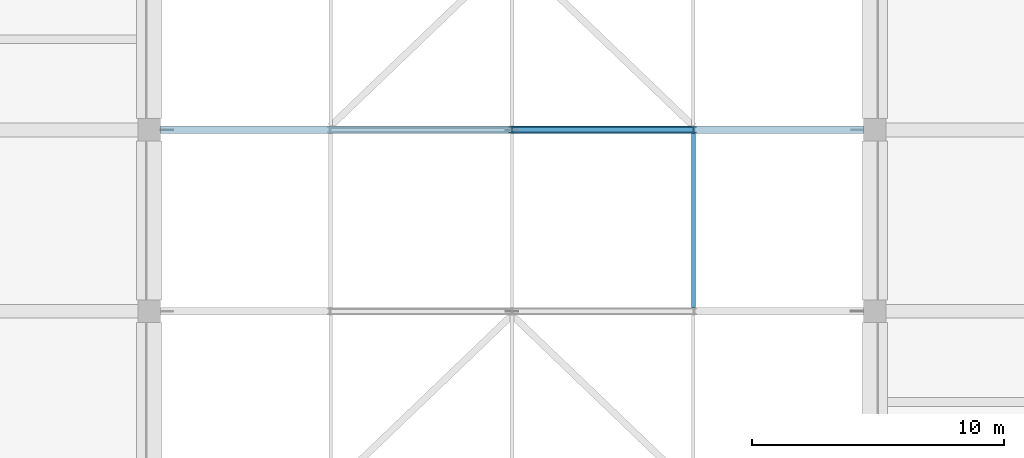
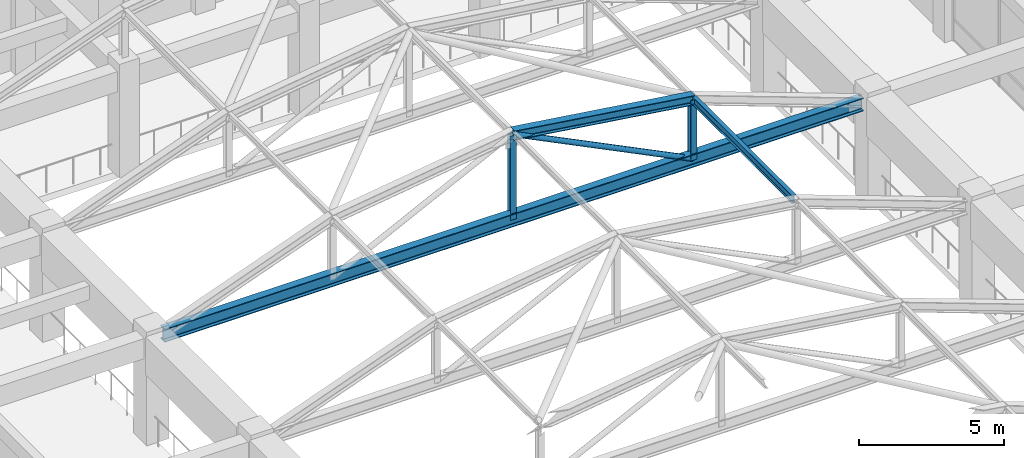
# One storey, part 40 of 75: 5 members, 1 beam.
"""IFC4 building model written with IfcOpenShell, lengths in metres."""

from ifc_helpers import new_model, si_unit, direction, frame, origin, origin_2d, place, context, subcontext, project, spatial, hollow_circle, i_section, extrude, material, material_profile, profile_set, type_object, element, save


model = new_model("IFC4")

# Units and contexts
model_context = context("Model", 3, precision=1e-05, world=origin(), true_north=direction((0.0, 1.0)))
body_context = subcontext(model_context, "Body", "Model", "MODEL_VIEW")
ifc_project = project(units=[si_unit("LENGTHUNIT", "METRE"), si_unit("AREAUNIT", "SQUARE_METRE"), si_unit("VOLUMEUNIT", "CUBIC_METRE"), si_unit("PLANEANGLEUNIT", "RADIAN"), si_unit("MASSUNIT", "GRAM", prefix="KILO")], contexts=[model_context])

# Site, building, storey
site_placement = place(None, origin())
site = spatial("IfcSite", under=ifc_project, at=site_placement, CompositionType="ELEMENT")
building_placement = place(site_placement, origin())
building = spatial("IfcBuilding", under=site, at=building_placement, Name="Cendaluz Park School", CompositionType="ELEMENT")
storey_placement = place(building_placement, frame((0.0, 0.0, 4.800048828125)))
storey = spatial("IfcBuildingStorey", under=building, at=storey_placement, Name="L01", CompositionType="ELEMENT", Elevation=4.800048828125)

# Beam
ifc_material = material(Name="Steel S355", Category="steel")
ifc_material_profile_1 = material_profile(ifc_material, i_section(OverallWidth=0.300048828125, OverallDepth=0.550048828125, WebThickness=0.014892578125, FlangeThickness=0.029052734375, FilletRadius=0.027099609375, at=origin_2d()), Name="HEB 550", Category="steel")
ifc_profile_set_1 = profile_set([ifc_material_profile_1], Name="Steel S355")
beam_type = type_object("IfcBeamType", Name="BM-ST11", PredefinedType="BEAM", material=ifc_profile_set_1)
beam_placement = place(storey_placement, frame((137.25, 86.39990234375, 4.14990234375), z_axis=(1.0, 0.0, 0.0), x_axis=(0.0, 1.0, 0.0)))
element("IfcBeam", 1, at=beam_placement, inside=storey, type_object=beam_type, Name="BM-L01-BMST11-0533", PredefinedType="BEAM", context=body_context, shape_type="SweptSolid", body=[
    extrude(i_section(OverallWidth=0.300048828125, OverallDepth=0.550048828125, WebThickness=0.014892578125, FlangeThickness=0.029052734375, FilletRadius=0.027099609375, at=origin_2d()), origin(), (0.0, 0.0, 1.0), 27.89990234375),
])

# Members
ifc_material_profile_2 = material_profile(ifc_material, i_section(OverallWidth=0.300048828125, OverallDepth=0.39990234375, WebThickness=0.013916015625, FlangeThickness=0.02392578125, FilletRadius=0.027099609375, at=origin_2d()), Name="HEB 400", Category="steel")
ifc_profile_set_2 = profile_set([ifc_material_profile_2], Name="Steel S355")
member_type_1 = type_object("IfcMemberType", Name="MB-CH01", PredefinedType="CHORD", material=ifc_profile_set_2)
member_1_placement = place(storey_placement, frame((151.199951171875, 86.39990234375, 7.7099609375), z_axis=(0.990113333567, 0.0, -0.140269692708), x_axis=(0.0, 1.0, 0.0)))
element("IfcMember", 2, at=member_1_placement, inside=storey, type_object=member_type_1, Name="MB-L01-MBCH01-0124", PredefinedType="CHORD", context=body_context, shape_type="SweptSolid", body=[
    extrude(i_section(OverallWidth=0.300048828125, OverallDepth=0.39990234375, WebThickness=0.013916015625, FlangeThickness=0.02392578125, FilletRadius=0.027099609375, at=origin_2d()), origin(), (0.0, 0.0, 1.0), 7.271728515625),
])
ifc_material_profile_3 = material_profile(ifc_material, i_section(OverallWidth=0.159912109375, OverallDepth=0.330078125, WebThickness=0.008056640625, FlangeThickness=0.011962890625, FilletRadius=0.01806640625, at=origin_2d()), Name="IPE 330", Category="steel")
ifc_profile_set_3 = profile_set([ifc_material_profile_3], Name="Steel S355")
member_type_2 = type_object("IfcMemberType", Name="MB-PR02", PredefinedType="PURLIN", material=ifc_profile_set_3)
member_2_placement = place(storey_placement, frame((158.39990234375, 79.35009765625, 6.704833984375), z_axis=(0.0, 1.0, 0.0), x_axis=(-1.0, 0.0, 0.0)))
element("IfcMember", 3, at=member_2_placement, inside=storey, type_object=member_type_2, Name="MB-L01-MBPR02-0164", PredefinedType="PURLIN", context=body_context, shape_type="SweptSolid", body=[
    extrude(i_section(OverallWidth=0.159912109375, OverallDepth=0.330078125, WebThickness=0.008056640625, FlangeThickness=0.011962890625, FilletRadius=0.01806640625, at=origin_2d()), origin(), (0.0, 0.0, 1.0), 6.89990234375),
])
ifc_material_profile_4 = material_profile(ifc_material, hollow_circle(Radius=0.109619140625, WallThickness=0.010009765625, at=origin_2d()), Name="CHS 219x10", Category="steel")
ifc_profile_set_4 = profile_set([ifc_material_profile_4], Name="Steel S355")
member_type_3 = type_object("IfcMemberType", Name="MBR-02", PredefinedType="BRACE", material=ifc_profile_set_4)
member_3_placement = place(storey_placement, frame((158.39990234375, 86.39990234375, 4.14990234375), z_axis=(-0.896406248188, 0.0, 0.443233390224), x_axis=(0.0, -1.0, 0.0)))
element("IfcMember", 4, at=member_3_placement, inside=storey, type_object=member_type_3, Name="MB-L01-MBBR02-0130", PredefinedType="BRACE", context=body_context, shape_type="SweptSolid", body=[
    extrude(hollow_circle(Radius=0.109619140625, WallThickness=0.010009765625, at=origin_2d()), origin(), (0.0, 0.0, 1.0), 8.031982421875),
])
ifc_material_profile_5 = material_profile(ifc_material, i_section(OverallWidth=0.239990234375, OverallDepth=0.22998046875, WebThickness=0.008056640625, FlangeThickness=0.011962890625, FilletRadius=0.02099609375, at=origin_2d()), Name="HEA 240", Category="steel")
ifc_profile_set_5 = profile_set([ifc_material_profile_5], Name="Steel S355")
member_type_4 = type_object("IfcMemberType", Name="MST-01", PredefinedType="STRUT", material=ifc_profile_set_5)
member_4_placement = place(storey_placement, frame((151.199951171875, 86.39990234375, 4.14990234375), z_axis=(0.0, 0.0, 1.0), x_axis=(1.0, 0.0, 0.0)))
element("IfcMember", 5, at=member_4_placement, inside=storey, type_object=member_type_4, Name="MB-L01-MBST01-0127", PredefinedType="STRUT", context=body_context, shape_type="SweptSolid", body=[
    extrude(i_section(OverallWidth=0.239990234375, OverallDepth=0.22998046875, WebThickness=0.008056640625, FlangeThickness=0.011962890625, FilletRadius=0.02099609375, at=origin_2d()), origin(), (0.0, 0.0, 1.0), 3.56005859375),
])
member_5_placement = place(storey_placement, frame((158.39990234375, 86.39990234375, 4.14990234375), z_axis=(0.0, 0.0, 1.0), x_axis=(1.0, 0.0, 0.0)))
element("IfcMember", 6, at=member_5_placement, inside=storey, type_object=member_type_4, Name="MB-L01-MBST01-0128", PredefinedType="STRUT", context=body_context, shape_type="SweptSolid", body=[
    extrude(i_section(OverallWidth=0.239990234375, OverallDepth=0.22998046875, WebThickness=0.008056640625, FlangeThickness=0.011962890625, FilletRadius=0.02099609375, at=origin_2d()), origin(), (0.0, 0.0, 1.0), 2.5400390625),
])

save(model, "model.ifc")
